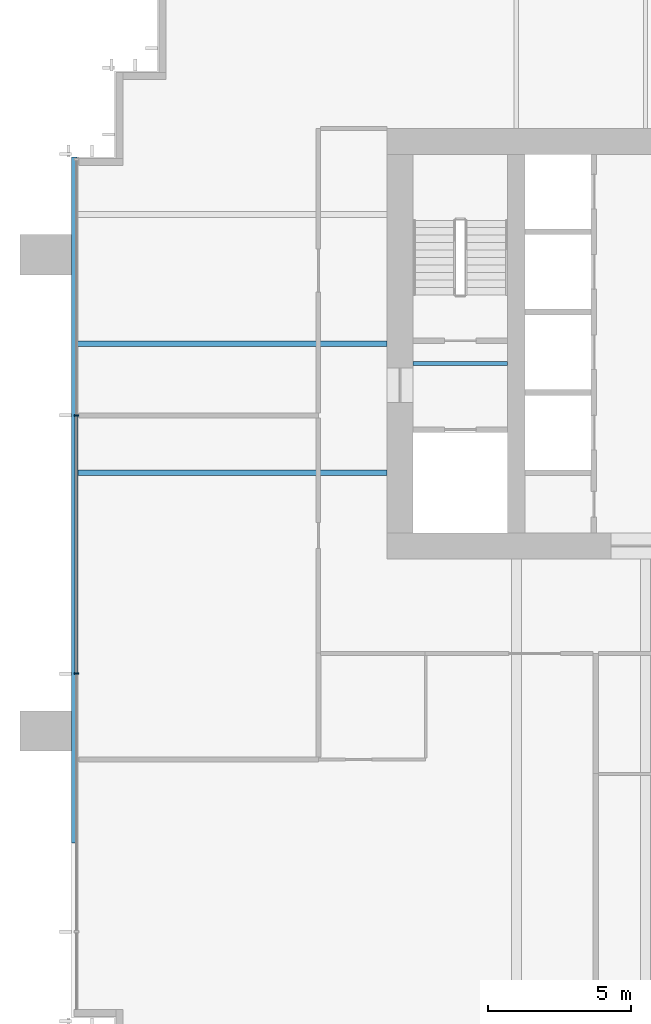
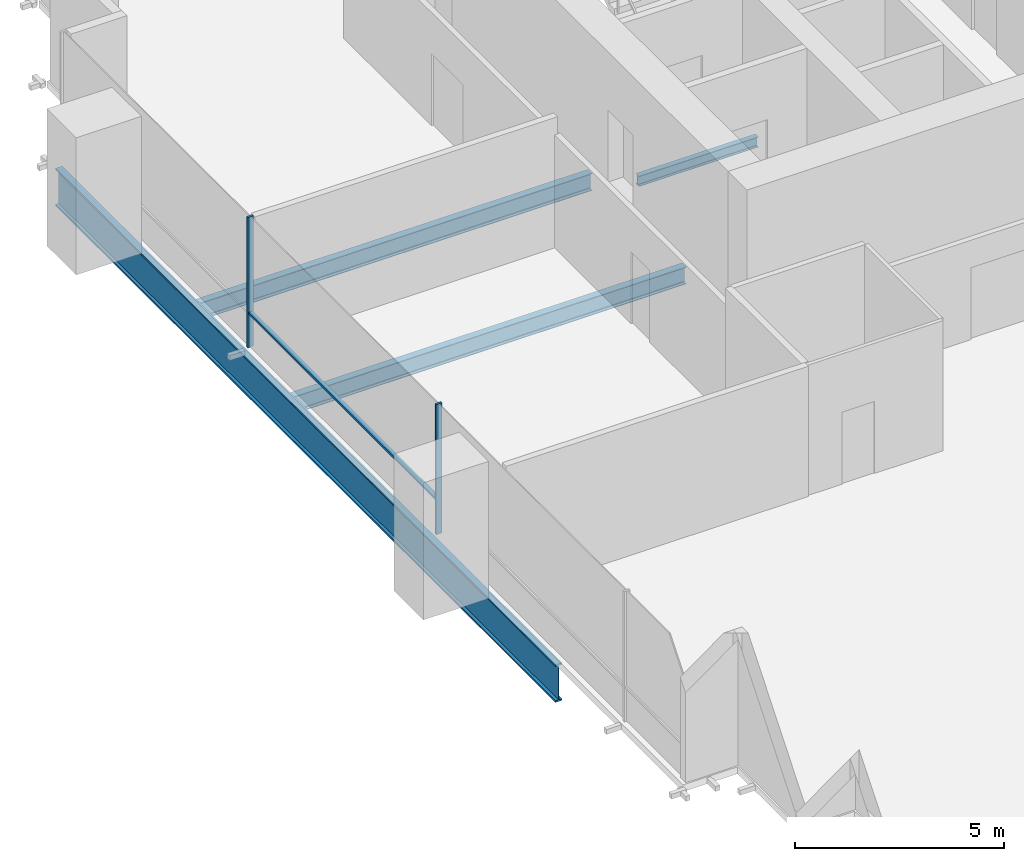
# One storey, part 4 of 14: 4 beams, 3 members, 1 element without a shape of its own.
"""IFC4 building model written with IfcOpenShell, lengths in metres."""

from ifc_helpers import new_model, si_unit, direction, frame, origin, origin_2d, place, context, subcontext, project, spatial, rectangle, i_section, extrude, material, material_profile, profile_set, type_object, element, aggregate, save


model = new_model("IFC4")

# Units and contexts
model_context = context("Model", 3, precision=1e-05, world=origin(), true_north=direction((0.0, 1.0)))
body_context = subcontext(model_context, "Body", "Model", "MODEL_VIEW")
ifc_project = project(units=[si_unit("LENGTHUNIT", "METRE"), si_unit("AREAUNIT", "SQUARE_METRE"), si_unit("VOLUMEUNIT", "CUBIC_METRE"), si_unit("PLANEANGLEUNIT", "RADIAN"), si_unit("MASSUNIT", "GRAM", prefix="KILO")], contexts=[model_context])

# Site, building, storey
site_placement = place(None, origin())
site = spatial("IfcSite", under=ifc_project, at=site_placement, CompositionType="ELEMENT")
building_placement = place(site_placement, origin())
building = spatial("IfcBuilding", under=site, at=building_placement, Name="Rattan Terrace Tower", CompositionType="ELEMENT")
storey_placement = place(building_placement, frame((0.0, 0.0, 154.10009765625)))
storey = spatial("IfcBuildingStorey", under=building, at=storey_placement, Name="L35", CompositionType="ELEMENT", Elevation=154.10009765625)

# Curtain wall, members
ifc_material_1 = material(Name="Aluminium and glass", Category="aluminium")
curtain_wall_type = type_object("IfcCurtainWallType", Name="Facade Unitised Curtain Wall", PredefinedType="NOTDEFINED", material=ifc_material_1)
curtain_wall_placement = place(storey_placement, origin())
curtain_wall = element("IfcCurtainWall", 1, at=curtain_wall_placement, inside=storey, type_object=curtain_wall_type, Name="Curtain wall L35-3", PredefinedType="NOTDEFINED")
ifc_material_2 = material(Name="Aluminium", Category="aluminium")
ifc_material_profile_1 = material_profile(ifc_material_2, rectangle(XDim=0.06005859375, YDim=0.159912109375, at=origin_2d()), Name="Aluminium 60x160")
ifc_profile_set_1 = profile_set([ifc_material_profile_1], Name="Aluminium")
member_type_1 = type_object("IfcMemberType", Name="Facade CW Mullion 60x160", PredefinedType="MULLION", material=ifc_profile_set_1)
member_1_placement = place(storey_placement, frame((-28.830078125, -2.5, 0.0), z_axis=(0.0, 0.0, 1.0), x_axis=(0.0, -1.0, 0.0)))
member_1 = element("IfcMember", 2, at=member_1_placement, type_object=member_type_1, Name="Mullion cwl-L35-003.2", PredefinedType="MULLION", context=body_context, shape_type="SweptSolid", body=[
    extrude(rectangle(XDim=0.06005859375, YDim=0.159912109375, at=origin_2d()), origin(), (0.0, 0.0, 1.0), 3.7998046875),
])
member_2_placement = place(storey_placement, frame((-28.830078125, -11.5, 0.0), z_axis=(0.0, 0.0, 1.0), x_axis=(0.0, -1.0, 0.0)))
member_2 = element("IfcMember", 3, at=member_2_placement, type_object=member_type_1, Name="Mullion cwl-L35-003.3", PredefinedType="MULLION", context=body_context, shape_type="SweptSolid", body=[
    extrude(rectangle(XDim=0.06005859375, YDim=0.159912109375, at=origin_2d()), origin(), (0.0, 0.0, 1.0), 3.7998046875),
])
ifc_material_3 = material(Name="Aluminium", Category="aluminium")
ifc_material_profile_2 = material_profile(ifc_material_3, rectangle(XDim=0.1201171875, YDim=0.06005859375, at=origin_2d()), Name="Aluminium 120x60")
ifc_profile_set_2 = profile_set([ifc_material_profile_2], Name="Aluminium")
member_type_2 = type_object("IfcMemberType", Name="Facade CW Transom 120x60", PredefinedType="USERDEFINED", material=ifc_profile_set_2)
member_3_placement = place(storey_placement, frame((-28.830078125, -2.530029296875, 1.0), z_axis=(0.0, -1.0, 0.0), x_axis=(1.0, 0.0, 0.0)))
member_3 = element("IfcMember", 4, at=member_3_placement, type_object=member_type_2, Name="Transom cwl-L35-003.2", ObjectType="TRANSOM", PredefinedType="USERDEFINED", context=body_context, shape_type="SweptSolid", body=[
    extrude(rectangle(XDim=0.1201171875, YDim=0.06005859375, at=origin_2d()), origin(), (0.0, 0.0, 1.0), 8.93994140625),
])
aggregate(curtain_wall, [member_1, member_2, member_3])

# Beams
ifc_material_4 = material(Name="Steel S460", Category="steel")
ifc_material_profile_3 = material_profile(ifc_material_4, i_section(OverallWidth=0.179931640625, OverallDepth=1.10009765625, WebThickness=0.01611328125, FlangeThickness=0.050048828125, at=origin_2d()), Name="PG 1100x180-16-50")
ifc_profile_set_3 = profile_set([ifc_material_profile_3], Name="Steel S460")
beam_type_1 = type_object("IfcBeamType", Name="Frame edge girder PG 1100x180-16-50", PredefinedType="SPANDREL", material=ifc_profile_set_3)
beam_1_placement = place(storey_placement, frame((-28.909912109375, -17.39990234375, -0.75), z_axis=(0.0, 1.0, 0.0), x_axis=(-1.0, 0.0, 0.0)))
element("IfcBeam", 5, at=beam_1_placement, inside=storey, type_object=beam_type_1, Name="gdr-L35-003", PredefinedType="SPANDREL", context=body_context, shape_type="SweptSolid", body=[
    extrude(i_section(OverallWidth=0.179931640625, OverallDepth=1.10009765625, WebThickness=0.01611328125, FlangeThickness=0.050048828125, at=origin_2d()), origin(), (0.0, 0.0, 1.0), 23.89990234375),
])
ifc_material_5 = material(Name="Steel S355", Category="steel")
ifc_material_profile_4 = material_profile(ifc_material_5, i_section(OverallWidth=0.14990234375, OverallDepth=0.300048828125, WebThickness=0.007080078125, FlangeThickness=0.0107421875, FilletRadius=0.014892578125, at=origin_2d()), Name="IPE 300")
ifc_profile_set_4 = profile_set([ifc_material_profile_4], Name="Steel S355")
beam_type_2 = type_object("IfcBeamType", Name="Frame floor beam IPE 300", PredefinedType="JOIST", material=ifc_profile_set_4)
beam_2_placement = place(storey_placement, frame((-17.10009765625, -0.695068359375, -0.35009765625), z_axis=(1.0, 0.0, 0.0), x_axis=(0.0, 1.0, 0.0)))
element("IfcBeam", 6, at=beam_2_placement, inside=storey, type_object=beam_type_2, Name="bm-L35-001", PredefinedType="JOIST", context=body_context, shape_type="SweptSolid", body=[
    extrude(i_section(OverallWidth=0.14990234375, OverallDepth=0.300048828125, WebThickness=0.007080078125, FlangeThickness=0.0107421875, FilletRadius=0.014892578125, at=origin_2d()), origin(), (0.0, 0.0, 1.0), 3.300048828125),
])
ifc_material_6 = material(Name="Steel S355", Category="steel")
ifc_material_profile_5 = material_profile(ifc_material_6, i_section(OverallWidth=0.199951171875, OverallDepth=0.5, WebThickness=0.01025390625, FlangeThickness=0.01611328125, FilletRadius=0.02099609375, at=origin_2d()), Name="IPE 500")
ifc_profile_set_5 = profile_set([ifc_material_profile_5], Name="Steel S355")
beam_type_3 = type_object("IfcBeamType", Name="Frame floor beam IPE 500", PredefinedType="JOIST", material=ifc_profile_set_5)
for number, where, z_axis, x_axis, name in (
    (7, (-28.820068359375, -4.5, -0.4501953125), (1.0, 0.0, 0.0), (0.0, 1.0, 0.0), "bm-L35-010"),
    (8, (-28.820068359375, 0.0, -0.4501953125), (1.0, 0.0, 0.0), (0.0, 1.0, 0.0), "bm-L35-012"),
):
    element("IfcBeam", number, at=place(storey_placement, frame(where, z_axis=z_axis, x_axis=x_axis)), inside=storey, type_object=beam_type_3, Name=name, PredefinedType="JOIST", context=body_context, shape_type="SweptSolid", body=[
        extrude(i_section(OverallWidth=0.199951171875, OverallDepth=0.5, WebThickness=0.01025390625, FlangeThickness=0.01611328125, FilletRadius=0.02099609375, at=origin_2d()), origin(), (0.0, 0.0, 1.0), 10.820068359375),
    ])

save(model, "model.ifc")
